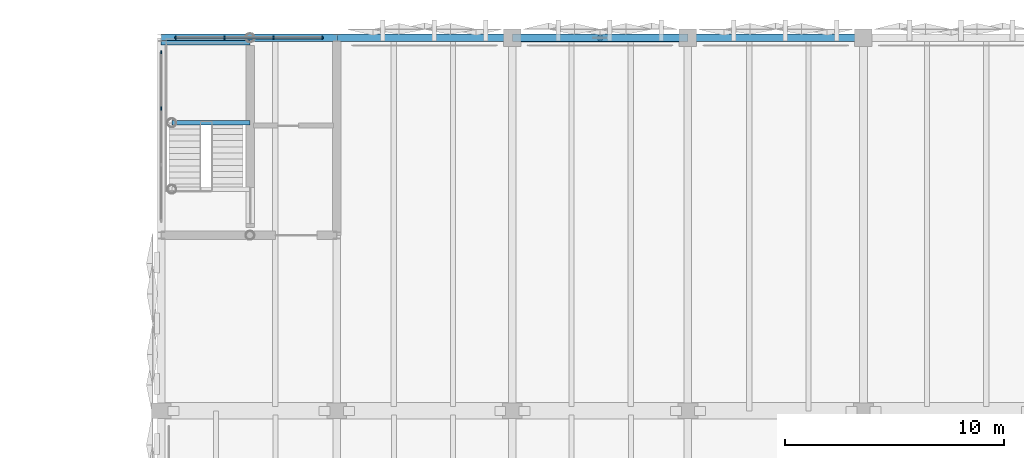
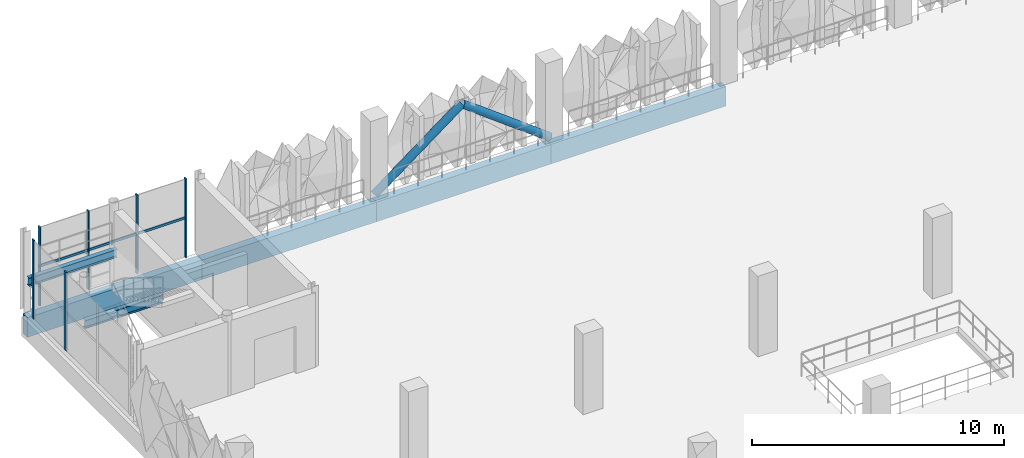
# One storey, part 56 of 123: 9 members, 6 beams, 2 elements without a shape of their own.
"""IFC4 building model written with IfcOpenShell, lengths in metres."""

from ifc_helpers import new_model, si_unit, derived_unit, direction, frame, origin, origin_2d, place, context, subcontext, project, spatial, rectangle, hollow_circle, i_section, extrude, material, layer, layer_set, material_profile, profile_set, type_object, element, aggregate, save


model = new_model("IFC4")

# Units and contexts
model_context = context("Model", 3, precision=1e-05, world=origin(), true_north=direction((0.0, 1.0)))
body_context = subcontext(model_context, "Body", "Model", "MODEL_VIEW")
ifc_project = project(units=[si_unit("LENGTHUNIT", "METRE"), si_unit("AREAUNIT", "SQUARE_METRE"), si_unit("VOLUMEUNIT", "CUBIC_METRE"), si_unit("PLANEANGLEUNIT", "RADIAN"), si_unit("MASSUNIT", "GRAM", prefix="KILO"), si_unit("THERMODYNAMICTEMPERATUREUNIT", "KELVIN"), derived_unit("THERMALTRANSMITTANCEUNIT", [(si_unit("POWERUNIT", "WATT"), 1), (si_unit("AREAUNIT", "SQUARE_METRE"), -1), (si_unit("THERMODYNAMICTEMPERATUREUNIT", "KELVIN"), -1)])], contexts=[model_context])

# Site, building, storey
site_placement = place(None, origin())
site = spatial("IfcSite", under=ifc_project, at=site_placement, CompositionType="ELEMENT")
building_placement = place(site_placement, origin())
building = spatial("IfcBuilding", under=site, at=building_placement, Name="Haiyu Intermodal Mobility Hub", CompositionType="ELEMENT")
storey_placement = place(building_placement, frame((0.0, 0.0, 5.60009765625)))
storey = spatial("IfcBuildingStorey", under=building, at=storey_placement, Name="L01", CompositionType="ELEMENT", Elevation=5.60009765625)

# Beams
ifc_material_1 = material(Name="Steel Q355C", Category="steel")
ifc_material_profile_1 = material_profile(ifc_material_1, i_section(OverallWidth=0.199951171875, OverallDepth=0.39990234375, WebThickness=0.008056640625, FlangeThickness=0.012939453125, FilletRadius=0.01611328125, at=origin_2d()), Name="HN400x200x8x13")
ifc_profile_set_1 = profile_set([ifc_material_profile_1], Name="Steel Q355C")
beam_type_1 = type_object("IfcBeamType", Name="BM-SB08", PredefinedType="JOIST", material=ifc_profile_set_1)
beam_1_placement = place(storey_placement, frame((22.47998046875, 144.1298828125, 1.52490234375), z_axis=(1.0, 0.0, 0.0), x_axis=(0.0, 1.0, 0.0)))
element("IfcBeam", 1, at=beam_1_placement, inside=storey, type_object=beam_type_1, Name="Stair Half-Landing Front Beam C3-L01", PredefinedType="JOIST", context=body_context, shape_type="SweptSolid", body=[
    extrude(i_section(OverallWidth=0.199951171875, OverallDepth=0.39990234375, WebThickness=0.008056640625, FlangeThickness=0.012939453125, FilletRadius=0.01611328125, at=origin_2d()), origin(), (0.0, 0.0, 1.0), 3.570068359375),
])
beam_2_placement = place(storey_placement, frame((22.0, 147.780029296875, 1.52490234375), z_axis=(1.0, 0.0, 0.0), x_axis=(0.0, 1.0, 0.0)))
element("IfcBeam", 2, at=beam_2_placement, inside=storey, type_object=beam_type_1, Name="Stair Half-Landing Rear Beam C3-L01", PredefinedType="JOIST", context=body_context, shape_type="SweptSolid", body=[
    extrude(i_section(OverallWidth=0.199951171875, OverallDepth=0.39990234375, WebThickness=0.008056640625, FlangeThickness=0.012939453125, FilletRadius=0.01611328125, at=origin_2d()), origin(), (0.0, 0.0, 1.0), 4.050048828125),
])
ifc_material_2 = material(Name="Precast concrete C40", Category="concrete")
ifc_material_profile_2 = material_profile(ifc_material_2, rectangle(XDim=0.35009765625, YDim=0.949951171875, at=origin_2d()), Name="PC350x950")
ifc_profile_set_2 = profile_set([ifc_material_profile_2], Name="Precast concrete C40")
beam_type_2 = type_object("IfcBeamType", Name="BM-SP01", PredefinedType="SPANDREL", material=ifc_profile_set_2)
for number, where, z_axis, x_axis, name in (
    (3, (22.0, 148.0, -0.75), (1.0, 0.0, 0.0), (0.0, 1.0, 0.0), "BM-V4G-L01-049"),
    (4, (30.0, 148.0, -0.75), (1.0, 0.0, 0.0), (0.0, 1.0, 0.0), "BM-V4G-L01-050"),
    (5, (38.0, 148.0, -0.75), (1.0, 0.0, 0.0), (0.0, 1.0, 0.0), "BM-V4G-L01-051"),
    (6, (46.0, 148.0, -0.75), (1.0, 0.0, 0.0), (0.0, 1.0, 0.0), "BM-V4G-L01-052"),
):
    element("IfcBeam", number, at=place(storey_placement, frame(where, z_axis=z_axis, x_axis=x_axis)), inside=storey, type_object=beam_type_2, Name=name, PredefinedType="SPANDREL", context=body_context, shape_type="SweptSolid", body=[
        extrude(rectangle(XDim=0.35009765625, YDim=0.949951171875, at=origin_2d()), origin(), (0.0, 0.0, 1.0), 8.0),
    ])

# Curtain wall, members
ifc_material_3 = material(Name="Low-e laminated insulating glass", Category="glass")
ifc_layer = layer(ifc_material_3, 0.199951171875)
ifc_layer_set = layer_set([ifc_layer], Name="Low-e laminated insulating glass")
curtain_wall_type = type_object("IfcCurtainWallType", Name="CW-CW03", PredefinedType="NOTDEFINED", material=ifc_layer_set)
curtain_wall_1_placement = place(storey_placement, origin())
curtain_wall_1 = element("IfcCurtainWall", 7, at=curtain_wall_1_placement, inside=storey, type_object=curtain_wall_type, Name="Curtain Wall CW-C3N-L01-051", PredefinedType="NOTDEFINED")
ifc_material_4 = material(Name="Anodised aluminium 6063-T6", Category="aluminium")
ifc_material_profile_3 = material_profile(ifc_material_4, rectangle(XDim=0.06005859375, YDim=0.14501953125, at=origin_2d()), Name="ALU60x145")
ifc_profile_set_3 = profile_set([ifc_material_profile_3], Name="Anodised aluminium 6063-T6")
member_type_1 = type_object("IfcMemberType", Name="CWM-ML03", PredefinedType="MULLION", material=ifc_profile_set_3)
member_1_placement = place(storey_placement, frame((29.340087890625, 148.0, 0.0), z_axis=(0.0, 0.0, 1.0), x_axis=(1.0, 0.0, 0.0)))
member_1 = element("IfcMember", 8, at=member_1_placement, type_object=member_type_1, Name="CW-C3N-L01-051-ML01", PredefinedType="MULLION", context=body_context, shape_type="SweptSolid", body=[
    extrude(rectangle(XDim=0.06005859375, YDim=0.14501953125, at=origin_2d()), origin(), (0.0, 0.0, 1.0), 3.81982421875),
])
member_2_placement = place(storey_placement, frame((27.113037109375, 148.0, 0.0), z_axis=(0.0, 0.0, 1.0), x_axis=(1.0, 0.0, 0.0)))
member_2 = element("IfcMember", 9, at=member_2_placement, type_object=member_type_1, Name="CW-C3N-L01-051-ML02", PredefinedType="MULLION", context=body_context, shape_type="SweptSolid", body=[
    extrude(rectangle(XDim=0.06005859375, YDim=0.14501953125, at=origin_2d()), origin(), (0.0, 0.0, 1.0), 3.81982421875),
])
member_3_placement = place(storey_placement, frame((24.886962890625, 148.0, 0.0), z_axis=(0.0, 0.0, 1.0), x_axis=(1.0, 0.0, 0.0)))
member_3 = element("IfcMember", 10, at=member_3_placement, type_object=member_type_1, Name="CW-C3N-L01-051-ML03", PredefinedType="MULLION", context=body_context, shape_type="SweptSolid", body=[
    extrude(rectangle(XDim=0.06005859375, YDim=0.14501953125, at=origin_2d()), origin(), (0.0, 0.0, 1.0), 3.81982421875),
])
member_4_placement = place(storey_placement, frame((22.659912109375, 148.0, 0.0), z_axis=(0.0, 0.0, 1.0), x_axis=(1.0, 0.0, 0.0)))
member_4 = element("IfcMember", 11, at=member_4_placement, type_object=member_type_1, Name="CW-C3N-L01-051-ML04", PredefinedType="MULLION", context=body_context, shape_type="SweptSolid", body=[
    extrude(rectangle(XDim=0.06005859375, YDim=0.14501953125, at=origin_2d()), origin(), (0.0, 0.0, 1.0), 3.81982421875),
])

curtain_wall_2_placement = place(storey_placement, origin())
curtain_wall_2 = element("IfcCurtainWall", 12, at=curtain_wall_2_placement, inside=storey, type_object=curtain_wall_type, Name="Curtain Wall CW-C3S-L01-052", PredefinedType="NOTDEFINED")
member_5_placement = place(storey_placement, frame((22.0, 147.340087890625, 0.0), z_axis=(0.0, 0.0, 1.0), x_axis=(1.0, 0.0, 0.0)))
member_5 = element("IfcMember", 13, at=member_5_placement, type_object=member_type_1, Name="CW-C3S-L01-052-ML01", PredefinedType="MULLION", context=body_context, shape_type="SweptSolid", body=[
    extrude(rectangle(XDim=0.06005859375, YDim=0.14501953125, at=origin_2d()), origin(), (0.0, 0.0, 1.0), 3.81982421875),
])
member_6_placement = place(storey_placement, frame((22.0, 144.780029296875, 0.0), z_axis=(0.0, 0.0, 1.0), x_axis=(1.0, 0.0, 0.0)))
member_6 = element("IfcMember", 14, at=member_6_placement, type_object=member_type_1, Name="CW-C3S-L01-052-ML02", PredefinedType="MULLION", context=body_context, shape_type="SweptSolid", body=[
    extrude(rectangle(XDim=0.06005859375, YDim=0.14501953125, at=origin_2d()), origin(), (0.0, 0.0, 1.0), 3.81982421875),
])
aggregate(curtain_wall_2, [member_5, member_6])

# Member
ifc_material_profile_4 = material_profile(ifc_material_4, rectangle(XDim=0.06005859375, YDim=0.114990234375, at=origin_2d()), Name="ALU60x115")
ifc_profile_set_4 = profile_set([ifc_material_profile_4], Name="Anodised aluminium 6063-T6")
member_type_2 = type_object("IfcMemberType", Name="CWM-TR03", PredefinedType="USERDEFINED", material=ifc_profile_set_4)
member_7_placement = place(storey_placement, frame((29.3798828125, 148.0, 1.909912109375), z_axis=(-1.0, 0.0, 0.0), x_axis=(0.0, -1.0, 0.0)))
member_7 = element("IfcMember", 15, at=member_7_placement, type_object=member_type_2, Name="CW-C3N-L01-051-TR01", ObjectType="TRANSOM", PredefinedType="USERDEFINED", context=body_context, shape_type="SweptSolid", body=[
    extrude(rectangle(XDim=0.06005859375, YDim=0.114990234375, at=origin_2d()), origin(), (0.0, 0.0, 1.0), 6.759765625),
])

aggregate(curtain_wall_1, [member_1, member_2, member_3, member_4, member_7])

# Members
ifc_material_profile_5 = material_profile(ifc_material_1, hollow_circle(Radius=0.177978515625, WallThickness=0.011962890625, at=origin_2d()), Name="CHS356x12")
ifc_profile_set_5 = profile_set([ifc_material_profile_5], Name="Steel Q355C")
member_type_3 = type_object("IfcMemberType", Name="MEM-BR01", PredefinedType="BRACE", material=ifc_profile_set_5)
for number, where, z_axis, x_axis, name in (
    (16, (38.0, 148.0, 0.0), (0.8, 0.0, 0.6), (0.0, 1.0, 0.0), "Seismic Chevron Brace B1-L01-A"),
    (17, (46.0, 148.0, 0.0), (-0.8, 0.0, 0.6), (0.0, -1.0, 0.0), "Seismic Chevron Brace B1-L01-B"),
):
    element("IfcMember", number, at=place(storey_placement, frame(where, z_axis=z_axis, x_axis=x_axis)), inside=storey, type_object=member_type_3, Name=name, PredefinedType="BRACE", context=body_context, shape_type="SweptSolid", body=[
        extrude(hollow_circle(Radius=0.177978515625, WallThickness=0.011962890625, at=origin_2d()), origin(), (0.0, 0.0, 1.0), 5.0),
    ])

save(model, "model.ifc")
